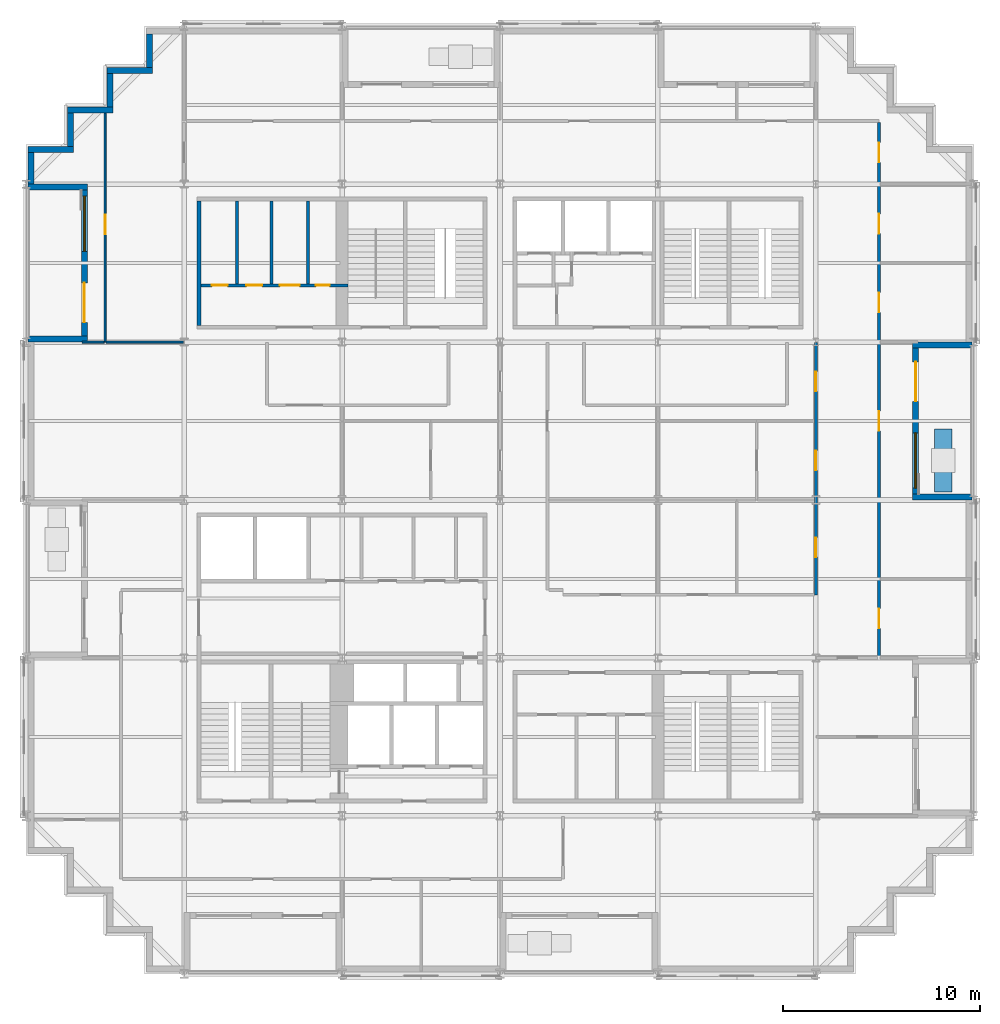
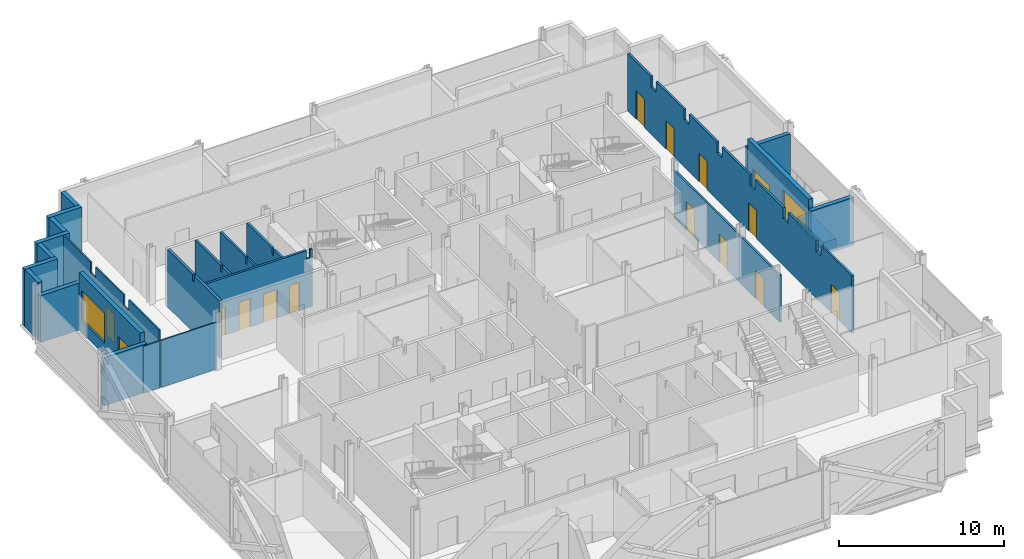
# One storey, part 9 of 15: 24 walls, 15 doors, 2 windows, 17 openings.
"""IFC4 building model written with IfcOpenShell, lengths in metres."""

from ifc_helpers import new_model, si_unit, direction, frame, frame_2d, origin, place, context, subcontext, project, spatial, polyline, rectangle, outline, extrude, material, layer, layer_set, type_object, element, fill, save


model = new_model("IFC4")

# Units and contexts
model_context = context("Model", 3, precision=1e-05, world=origin(), true_north=direction((0.0, 1.0)))
body_context = subcontext(model_context, "Body", "Model", "MODEL_VIEW")
ifc_project = project(units=[si_unit("LENGTHUNIT", "METRE"), si_unit("AREAUNIT", "SQUARE_METRE"), si_unit("VOLUMEUNIT", "CUBIC_METRE"), si_unit("PLANEANGLEUNIT", "RADIAN"), si_unit("MASSUNIT", "GRAM", prefix="KILO")], contexts=[model_context])

# Site, building, storey
site_placement = place(None, origin())
site = spatial("IfcSite", under=ifc_project, at=site_placement, CompositionType="ELEMENT")
building_placement = place(site_placement, origin())
building = spatial("IfcBuilding", under=site, at=building_placement, Name="Immortelle Media Tower", CompositionType="ELEMENT")
storey_placement = place(building_placement, frame((0.0, 0.0, 92.0)))
storey = spatial("IfcBuildingStorey", under=building, at=storey_placement, Name="L17", CompositionType="ELEMENT", Elevation=92.0)

# Wall, openings, doors
ifc_material_1 = material(Name="Fire-rated gypsum board", Category="gypsum")
ifc_layer_1 = layer(ifc_material_1, 0.02490234375)
ifc_material_2 = material(Name="Steel ASTM A653 SS Gr 50 stud frame with mineral wool", Category="steel")
ifc_layer_2 = layer(ifc_material_2, 0.10009765625)
ifc_layer_3 = layer(ifc_material_1, 0.02490234375)
ifc_layer_set_1 = layer_set([ifc_layer_1, ifc_layer_2, ifc_layer_3], Name="Steel ASTM A653 SS Gr 50 stud frame with mineral wool")
wall_type_1 = type_object("IfcWallType", Name="Core partition 150", PredefinedType="PARTITIONING", material=ifc_layer_set_1)
wall_1_placement = place(storey_placement, frame((8.85009765625, 34.875, 0.0), z_axis=(0.0, 0.0, 1.0), x_axis=(1.0, 0.0, 0.0)))
wall_1 = element("IfcWall", 1, at=wall_1_placement, inside=storey, type_object=wall_type_1, Name="Core partition NW", PredefinedType="PARTITIONING", context=body_context, shape_type="SweptSolid", body=[
    extrude(outline(polyline([(0.0, 0.0), (7.449951171875, 0.0), (7.449951171875, 4.25), (7.26953125, 4.25), (7.2685546875, 3.632080078125), (7.031494140625, 3.632080078125), (7.030517578125, 4.25), (0.0, 4.25), (0.0, 0.0)])), frame((0.0, 0.074951171875, 0.0), z_axis=(0.0, -1.0, 0.0), x_axis=(1.0, 0.0, 0.0)), (0.0, 0.0, 1.0), 0.14990234375),
])
opening_1_placement = place(wall_1_placement, frame((0.550048828125, 0.0, 0.0)))
opening_1 = element("IfcOpeningElement", 2, at=opening_1_placement, cuts=wall_1, Name="Opening N5-K047", PredefinedType="OPENING", context=body_context, shape_type="SweptSolid", body=[
    extrude(rectangle(XDim=0.800048828125, YDim=2.10009765625, at=frame_2d((0.39990234375, 1.050048828125))), frame((0.0, 0.0849609375, 0.0), z_axis=(0.0, -1.0, 0.0), x_axis=(1.0, 0.0, 0.0)), (0.0, 0.0, 1.0), 0.169921875),
])
opening_2_placement = place(wall_1_placement, frame((2.300048828125, 0.0, 0.0)))
opening_2 = element("IfcOpeningElement", 3, at=opening_2_placement, cuts=wall_1, Name="Opening N5-K048", PredefinedType="OPENING", context=body_context, shape_type="SweptSolid", body=[
    extrude(rectangle(XDim=0.800048828125, YDim=2.10009765625, at=frame_2d((0.39990234375, 1.050048828125))), frame((0.0, 0.0849609375, 0.0), z_axis=(0.0, -1.0, 0.0), x_axis=(1.0, 0.0, 0.0)), (0.0, 0.0, 1.0), 0.169921875),
])
opening_3_placement = place(wall_1_placement, frame((4.0, 0.0, 0.0)))
opening_3 = element("IfcOpeningElement", 4, at=opening_3_placement, cuts=wall_1, Name="Opening N5-K049", PredefinedType="OPENING", context=body_context, shape_type="SweptSolid", body=[
    extrude(rectangle(XDim=1.0, YDim=2.10009765625, at=frame_2d((0.5, 1.050048828125))), frame((0.0, 0.0849609375, 0.0), z_axis=(0.0, -1.0, 0.0), x_axis=(1.0, 0.0, 0.0)), (0.0, 0.0, 1.0), 0.169921875),
])
opening_4_placement = place(wall_1_placement, frame((5.824951171875, 0.0, 0.0)))
opening_4 = element("IfcOpeningElement", 5, at=opening_4_placement, cuts=wall_1, Name="Opening N5-K050", PredefinedType="OPENING", context=body_context, shape_type="SweptSolid", body=[
    extrude(rectangle(XDim=0.699951171875, YDim=2.10009765625, at=frame_2d((0.35009765625, 1.050048828125))), frame((0.0, 0.0849609375, 0.0), z_axis=(0.0, -1.0, 0.0), x_axis=(1.0, 0.0, 0.0)), (0.0, 0.0, 1.0), 0.169921875),
])
ifc_material_3 = material(Name="Timber", Category="wood")
door_type_1 = type_object("IfcDoorType", Name="Accessible toilet door 1000 x 2100", OperationType="NOTDEFINED", PredefinedType="NOTDEFINED", material=ifc_material_3)
door_1_placement = place(opening_3_placement, origin())
door_1 = element("IfcDoor", 6, at=door_1_placement, inside=storey, type_object=door_type_1, Name="Accessible toilet N5-K049", OperationType="SINGLE_SWING_RIGHT", OverallHeight=2.10009765625, OverallWidth=1.0, PredefinedType="NOTDEFINED", context=body_context, shape_type="SweptSolid", body=[
    extrude(rectangle(XDim=1.0, YDim=2.10009765625, at=frame_2d((0.5, 1.050048828125))), frame((0.0, 0.02490234375, 0.0), z_axis=(0.0, -1.0, 0.0), x_axis=(1.0, 0.0, 0.0)), (0.0, 0.0, 1.0), 0.050048828125),
])
fill(opening_3, door_1)
ifc_material_4 = material(Name="Galvanised steel door leaf and frame ASTM A653", Category="steel")
door_type_2 = type_object("IfcDoorType", Name="Service door 700 x 2100", OperationType="NOTDEFINED", PredefinedType="NOTDEFINED", material=ifc_material_4)
door_2_placement = place(opening_4_placement, origin())
door_2 = element("IfcDoor", 7, at=door_2_placement, inside=storey, type_object=door_type_2, Name="Service N5-K050", OperationType="SINGLE_SWING_LEFT", OverallHeight=2.10009765625, OverallWidth=0.699951171875, PredefinedType="NOTDEFINED", context=body_context, shape_type="SweptSolid", body=[
    extrude(rectangle(XDim=0.699951171875, YDim=2.10009765625, at=frame_2d((0.35009765625, 1.050048828125))), frame((0.0, 0.02490234375, 0.0), z_axis=(0.0, -1.0, 0.0), x_axis=(1.0, 0.0, 0.0)), (0.0, 0.0, 1.0), 0.050048828125),
])
fill(opening_4, door_2)
door_type_3 = type_object("IfcDoorType", Name="Toilet door 800 x 2100", OperationType="NOTDEFINED", PredefinedType="NOTDEFINED", material=ifc_material_3)
door_3_placement = place(opening_1_placement, origin())
door_3 = element("IfcDoor", 8, at=door_3_placement, inside=storey, type_object=door_type_3, Name="Toilet N5-K047", OperationType="SINGLE_SWING_LEFT", OverallHeight=2.10009765625, OverallWidth=0.800048828125, PredefinedType="NOTDEFINED", context=body_context, shape_type="SweptSolid", body=[
    extrude(rectangle(XDim=0.800048828125, YDim=2.10009765625, at=frame_2d((0.39990234375, 1.050048828125))), frame((0.0, 0.02490234375, 0.0), z_axis=(0.0, -1.0, 0.0), x_axis=(1.0, 0.0, 0.0)), (0.0, 0.0, 1.0), 0.050048828125),
])
fill(opening_1, door_3)
door_4_placement = place(opening_2_placement, origin())
door_4 = element("IfcDoor", 9, at=door_4_placement, inside=storey, type_object=door_type_3, Name="Toilet N5-K048", OperationType="SINGLE_SWING_LEFT", OverallHeight=2.10009765625, OverallWidth=0.800048828125, PredefinedType="NOTDEFINED", context=body_context, shape_type="SweptSolid", body=[
    extrude(rectangle(XDim=0.800048828125, YDim=2.10009765625, at=frame_2d((0.39990234375, 1.050048828125))), frame((0.0, 0.02490234375, 0.0), z_axis=(0.0, -1.0, 0.0), x_axis=(1.0, 0.0, 0.0)), (0.0, 0.0, 1.0), 0.050048828125),
])
fill(opening_2, door_4)

# Walls
for number, where, z_axis, x_axis, name in (
    (10, (10.675048828125, 34.949951171875, 0.0), (0.0, 0.0, 1.0), (0.0, 1.0, 0.0), "Core partition NW"),
    (11, (12.425048828125, 34.949951171875, 0.0), (0.0, 0.0, 1.0), (0.0, 1.0, 0.0), "Core partition NW"),
    (12, (14.27490234375, 34.949951171875, 0.0), (0.0, 0.0, 1.0), (0.0, 1.0, 0.0), "Core partition NW"),
):
    element("IfcWall", number, at=place(storey_placement, frame(where, z_axis=z_axis, x_axis=x_axis)), inside=storey, type_object=wall_type_1, Name=name, PredefinedType="PARTITIONING", context=body_context, shape_type="SweptSolid", body=[
        extrude(outline(polyline([(0.0, 0.0), (4.199951171875, 0.0), (4.199951171875, 4.25), (1.131591796875, 4.25), (1.130615234375, 3.7890625), (0.969482421875, 3.7890625), (0.968505859375, 4.25), (0.0, 4.25), (0.0, 0.0)])), frame((0.0, 0.074951171875, 0.0), z_axis=(0.0, -1.0, 0.0), x_axis=(1.0, 0.0, 0.0)), (0.0, 0.0, 1.0), 0.14990234375),
    ])
ifc_layer_4 = layer(ifc_material_1, 0.03759765625)
ifc_layer_5 = layer(ifc_material_2, 0.125)
ifc_layer_6 = layer(ifc_material_1, 0.03759765625)
ifc_layer_set_2 = layer_set([ifc_layer_4, ifc_layer_5, ifc_layer_6], Name="Steel ASTM A653 SS Gr 50 stud frame with mineral wool")
wall_type_2 = type_object("IfcWallType", Name="Core shaft wall 200", PredefinedType="PARTITIONING", material=ifc_layer_set_2)
wall_2_placement = place(storey_placement, frame((8.75, 32.85009765625, 0.0), z_axis=(0.0, 0.0, 1.0), x_axis=(0.0, 1.0, 0.0)))
element("IfcWall", 13, at=wall_2_placement, inside=storey, type_object=wall_type_2, Name="Core shaft wall NW", PredefinedType="PARTITIONING", context=body_context, shape_type="SweptSolid", body=[
    extrude(outline(polyline([(0.0, 0.0), (6.2998046875, 0.0), (6.300048828125, 4.25), (3.2314453125, 4.25), (3.23046875, 3.7890625), (3.069580078125, 3.7890625), (3.068603515625, 4.25), (0.0, 4.25), (0.0, 0.0)])), frame((0.0, 0.10009765625, 0.0), z_axis=(0.0, -1.0, 0.0), x_axis=(1.0, 0.0, 0.0)), (0.0, 0.0, 1.0), 0.199951171875),
])

# Wall, openings, doors
ifc_layer_7 = layer(ifc_material_1, 0.012451171875)
ifc_layer_8 = layer(ifc_material_2, 0.125)
ifc_layer_9 = layer(ifc_material_1, 0.012451171875)
ifc_layer_set_3 = layer_set([ifc_layer_7, ifc_layer_8, ifc_layer_9], Name="Steel ASTM A653 SS Gr 50 stud frame with mineral wool")
wall_type_3 = type_object("IfcWallType", Name="Corridor wall 150", PredefinedType="PARTITIONING", material=ifc_layer_set_3)
wall_3_placement = place(storey_placement, frame((43.199951171875, 16.0, 0.0), z_axis=(0.0, 0.0, 1.0), x_axis=(0.0, 1.0, 0.0)))
wall_3 = element("IfcWall", 14, at=wall_3_placement, inside=storey, type_object=wall_type_3, Name="Partition L17-013", PredefinedType="PARTITIONING", context=body_context, shape_type="SweptSolid", body=[
    extrude(outline(polyline([(0.0, 0.0), (27.125, 0.0), (27.125, 4.25), (24.300048828125, 4.25), (24.298095703125, 3.469970703125), (23.701904296875, 3.469970703125), (23.699951171875, 4.25), (20.300048828125, 4.25), (20.298095703125, 3.469970703125), (19.701904296875, 3.469970703125), (19.699951171875, 4.25), (16.300048828125, 4.25), (16.298095703125, 3.469970703125), (15.701904296875, 3.469970703125), (15.699951171875, 4.25), (12.300048828125, 4.25), (12.298095703125, 3.469970703125), (11.701904296875, 3.469970703125), (11.699951171875, 4.25), (8.300048828125, 4.25), (8.298095703125, 3.469970703125), (7.701904296875, 3.469970703125), (7.699951171875, 4.25), (4.300048828125, 4.25), (4.298095703125, 3.469970703125), (3.701904296875, 3.469970703125), (3.699951171875, 4.25), (0.0, 4.25), (0.0, 0.0)])), frame((0.0, 0.074951171875, 0.0), z_axis=(0.0, -1.0, 0.0), x_axis=(1.0, 0.0, 0.0)), (0.0, 0.0, 1.0), 0.14990234375),
])
opening_5_placement = place(wall_3_placement, frame((2.5, 0.0, 0.0), z_axis=(0.0, 0.0, 1.0), x_axis=(-1.0, 0.0, 0.0)))
opening_5 = element("IfcOpeningElement", 15, at=opening_5_placement, cuts=wall_3, Name="Opening N5-F012", PredefinedType="OPENING", context=body_context, shape_type="SweptSolid", body=[
    extrude(rectangle(XDim=1.0, YDim=2.10009765625, at=frame_2d((0.5, 1.050048828125))), frame((0.0, 0.0849609375, 0.0), z_axis=(0.0, -1.0, 0.0), x_axis=(1.0, 0.0, 0.0)), (0.0, 0.0, 1.0), 0.169921875),
])
opening_6_placement = place(wall_3_placement, frame((12.5, 0.0, 0.0), z_axis=(0.0, 0.0, 1.0), x_axis=(-1.0, 0.0, 0.0)))
opening_6 = element("IfcOpeningElement", 16, at=opening_6_placement, cuts=wall_3, Name="Opening N5-F013", PredefinedType="OPENING", context=body_context, shape_type="SweptSolid", body=[
    extrude(rectangle(XDim=1.0, YDim=2.10009765625, at=frame_2d((0.5, 1.050048828125))), frame((0.0, 0.0849609375, 0.0), z_axis=(0.0, -1.0, 0.0), x_axis=(1.0, 0.0, 0.0)), (0.0, 0.0, 1.0), 0.169921875),
])
opening_7_placement = place(wall_3_placement, frame((18.5, 0.0, 0.0), z_axis=(0.0, 0.0, 1.0), x_axis=(-1.0, 0.0, 0.0)))
opening_7 = element("IfcOpeningElement", 17, at=opening_7_placement, cuts=wall_3, Name="Opening N5-F022", PredefinedType="OPENING", context=body_context, shape_type="SweptSolid", body=[
    extrude(rectangle(XDim=1.0, YDim=2.10009765625, at=frame_2d((0.5, 1.050048828125))), frame((0.0, 0.0849609375, 0.0), z_axis=(0.0, -1.0, 0.0), x_axis=(1.0, 0.0, 0.0)), (0.0, 0.0, 1.0), 0.169921875),
])
opening_8_placement = place(wall_3_placement, frame((22.5, 0.0, 0.0), z_axis=(0.0, 0.0, 1.0), x_axis=(-1.0, 0.0, 0.0)))
opening_8 = element("IfcOpeningElement", 18, at=opening_8_placement, cuts=wall_3, Name="Opening N5-F023", PredefinedType="OPENING", context=body_context, shape_type="SweptSolid", body=[
    extrude(rectangle(XDim=1.0, YDim=2.10009765625, at=frame_2d((0.5, 1.050048828125))), frame((0.0, 0.0849609375, 0.0), z_axis=(0.0, -1.0, 0.0), x_axis=(1.0, 0.0, 0.0)), (0.0, 0.0, 1.0), 0.169921875),
])
opening_9_placement = place(wall_3_placement, frame((26.10009765625, 0.0, 0.0), z_axis=(0.0, 0.0, 1.0), x_axis=(-1.0, 0.0, 0.0)))
opening_9 = element("IfcOpeningElement", 19, at=opening_9_placement, cuts=wall_3, Name="Opening N5-F026", PredefinedType="OPENING", context=body_context, shape_type="SweptSolid", body=[
    extrude(rectangle(XDim=1.0, YDim=2.10009765625, at=frame_2d((0.5, 1.050048828125))), frame((0.0, 0.0849609375, 0.0), z_axis=(0.0, -1.0, 0.0), x_axis=(1.0, 0.0, 0.0)), (0.0, 0.0, 1.0), 0.169921875),
])
ifc_material_5 = material(Name="Timber veneered door leaf, galvanised steel frame ASTM A653", Category="steel")
door_type_4 = type_object("IfcDoorType", Name="Room door 1000 x 2100", OperationType="NOTDEFINED", PredefinedType="DOOR", material=ifc_material_5)
door_5_placement = place(opening_5_placement, origin())
door_5 = element("IfcDoor", 20, at=door_5_placement, inside=storey, type_object=door_type_4, Name="Door N5-F012", OperationType="SINGLE_SWING_RIGHT", OverallHeight=2.10009765625, OverallWidth=1.0, PredefinedType="DOOR", context=body_context, shape_type="SweptSolid", body=[
    extrude(rectangle(XDim=1.0, YDim=2.10009765625, at=frame_2d((0.5, 1.050048828125))), frame((0.0, 0.02490234375, 0.0), z_axis=(0.0, -1.0, 0.0), x_axis=(1.0, 0.0, 0.0)), (0.0, 0.0, 1.0), 0.050048828125),
])
fill(opening_5, door_5)
door_6_placement = place(opening_6_placement, origin())
door_6 = element("IfcDoor", 21, at=door_6_placement, inside=storey, type_object=door_type_4, Name="Door N5-F013", OperationType="SINGLE_SWING_LEFT", OverallHeight=2.10009765625, OverallWidth=1.0, PredefinedType="DOOR", context=body_context, shape_type="SweptSolid", body=[
    extrude(rectangle(XDim=1.0, YDim=2.10009765625, at=frame_2d((0.5, 1.050048828125))), frame((0.0, 0.02490234375, 0.0), z_axis=(0.0, -1.0, 0.0), x_axis=(1.0, 0.0, 0.0)), (0.0, 0.0, 1.0), 0.050048828125),
])
fill(opening_6, door_6)
door_7_placement = place(opening_7_placement, origin())
door_7 = element("IfcDoor", 22, at=door_7_placement, inside=storey, type_object=door_type_4, Name="Door N5-F022", OperationType="SINGLE_SWING_RIGHT", OverallHeight=2.10009765625, OverallWidth=1.0, PredefinedType="DOOR", context=body_context, shape_type="SweptSolid", body=[
    extrude(rectangle(XDim=1.0, YDim=2.10009765625, at=frame_2d((0.5, 1.050048828125))), frame((0.0, 0.02490234375, 0.0), z_axis=(0.0, -1.0, 0.0), x_axis=(1.0, 0.0, 0.0)), (0.0, 0.0, 1.0), 0.050048828125),
])
fill(opening_7, door_7)
door_8_placement = place(opening_8_placement, origin())
door_8 = element("IfcDoor", 23, at=door_8_placement, inside=storey, type_object=door_type_4, Name="Door N5-F023", OperationType="SINGLE_SWING_LEFT", OverallHeight=2.10009765625, OverallWidth=1.0, PredefinedType="DOOR", context=body_context, shape_type="SweptSolid", body=[
    extrude(rectangle(XDim=1.0, YDim=2.10009765625, at=frame_2d((0.5, 1.050048828125))), frame((0.0, 0.02490234375, 0.0), z_axis=(0.0, -1.0, 0.0), x_axis=(1.0, 0.0, 0.0)), (0.0, 0.0, 1.0), 0.050048828125),
])
fill(opening_8, door_8)
door_9_placement = place(opening_9_placement, origin())
door_9 = element("IfcDoor", 24, at=door_9_placement, inside=storey, type_object=door_type_4, Name="Door N5-F026", OperationType="SINGLE_SWING_RIGHT", OverallHeight=2.10009765625, OverallWidth=1.0, PredefinedType="DOOR", context=body_context, shape_type="SweptSolid", body=[
    extrude(rectangle(XDim=1.0, YDim=2.10009765625, at=frame_2d((0.5, 1.050048828125))), frame((0.0, 0.02490234375, 0.0), z_axis=(0.0, -1.0, 0.0), x_axis=(1.0, 0.0, 0.0)), (0.0, 0.0, 1.0), 0.050048828125),
])
fill(opening_9, door_9)

wall_4_placement = place(storey_placement, frame((40.0, 19.199951171875, 0.0), z_axis=(0.0, 0.0, 1.0), x_axis=(0.0, 1.0, 0.0)))
wall_4 = element("IfcWall", 25, at=wall_4_placement, inside=storey, type_object=wall_type_3, Name="Partition L17-017", PredefinedType="PARTITIONING", context=body_context, shape_type="SweptSolid", body=[
    extrude(rectangle(XDim=12.77001953125, YDim=0.14990234375, at=frame_2d((6.385009765625, 0.0))), origin(), (0.0, 0.0, 1.0), 3.469970703125),
])
opening_10_placement = place(wall_4_placement, frame((1.89990234375, 0.0, 0.0)))
opening_10 = element("IfcOpeningElement", 26, at=opening_10_placement, cuts=wall_4, Name="Opening N5-F011", PredefinedType="OPENING", context=body_context, shape_type="SweptSolid", body=[
    extrude(rectangle(XDim=1.0, YDim=2.10009765625, at=frame_2d((0.5, 1.050048828125))), frame((0.0, 0.0849609375, 0.0), z_axis=(0.0, -1.0, 0.0), x_axis=(1.0, 0.0, 0.0)), (0.0, 0.0, 1.0), 0.169921875),
])
opening_11_placement = place(wall_4_placement, frame((6.300048828125, 0.0, 0.0)))
opening_11 = element("IfcOpeningElement", 27, at=opening_11_placement, cuts=wall_4, Name="Opening N5-F014", PredefinedType="OPENING", context=body_context, shape_type="SweptSolid", body=[
    extrude(rectangle(XDim=1.0, YDim=2.10009765625, at=frame_2d((0.5, 1.050048828125))), frame((0.0, 0.0849609375, 0.0), z_axis=(0.0, -1.0, 0.0), x_axis=(1.0, 0.0, 0.0)), (0.0, 0.0, 1.0), 0.169921875),
])
opening_12_placement = place(wall_4_placement, frame((10.300048828125, 0.0, 0.0)))
opening_12 = element("IfcOpeningElement", 28, at=opening_12_placement, cuts=wall_4, Name="Opening N5-F016", PredefinedType="OPENING", context=body_context, shape_type="SweptSolid", body=[
    extrude(rectangle(XDim=1.0, YDim=2.10009765625, at=frame_2d((0.5, 1.050048828125))), frame((0.0, 0.0849609375, 0.0), z_axis=(0.0, -1.0, 0.0), x_axis=(1.0, 0.0, 0.0)), (0.0, 0.0, 1.0), 0.169921875),
])
door_10_placement = place(opening_10_placement, origin())
door_10 = element("IfcDoor", 29, at=door_10_placement, inside=storey, type_object=door_type_4, Name="Door N5-F011", OperationType="SINGLE_SWING_LEFT", OverallHeight=2.10009765625, OverallWidth=1.0, PredefinedType="DOOR", context=body_context, shape_type="SweptSolid", body=[
    extrude(rectangle(XDim=1.0, YDim=2.10009765625, at=frame_2d((0.5, 1.050048828125))), frame((0.0, 0.02490234375, 0.0), z_axis=(0.0, -1.0, 0.0), x_axis=(1.0, 0.0, 0.0)), (0.0, 0.0, 1.0), 0.050048828125),
])
fill(opening_10, door_10)
door_11_placement = place(opening_11_placement, origin())
door_11 = element("IfcDoor", 30, at=door_11_placement, inside=storey, type_object=door_type_4, Name="Door N5-F014", OperationType="SINGLE_SWING_RIGHT", OverallHeight=2.10009765625, OverallWidth=1.0, PredefinedType="DOOR", context=body_context, shape_type="SweptSolid", body=[
    extrude(rectangle(XDim=1.0, YDim=2.10009765625, at=frame_2d((0.5, 1.050048828125))), frame((0.0, 0.02490234375, 0.0), z_axis=(0.0, -1.0, 0.0), x_axis=(1.0, 0.0, 0.0)), (0.0, 0.0, 1.0), 0.050048828125),
])
fill(opening_11, door_11)
door_12_placement = place(opening_12_placement, origin())
door_12 = element("IfcDoor", 31, at=door_12_placement, inside=storey, type_object=door_type_4, Name="Door N5-F016", OperationType="SINGLE_SWING_LEFT", OverallHeight=2.10009765625, OverallWidth=1.0, PredefinedType="DOOR", context=body_context, shape_type="SweptSolid", body=[
    extrude(rectangle(XDim=1.0, YDim=2.10009765625, at=frame_2d((0.5, 1.050048828125))), frame((0.0, 0.02490234375, 0.0), z_axis=(0.0, -1.0, 0.0), x_axis=(1.0, 0.0, 0.0)), (0.0, 0.0, 1.0), 0.050048828125),
])
fill(opening_12, door_12)

# Wall
ifc_material_6 = material(Name="Pale aluminium cladding panel", Category="aluminium")
ifc_layer_10 = layer(ifc_material_6, 0.030029296875)
ifc_layer_11 = layer(ifc_material_2, 0.257568359375)
ifc_material_7 = material(Name="Moisture-resistant gypsum board", Category="gypsum")
ifc_layer_12 = layer(ifc_material_7, 0.012451171875)
ifc_layer_set_4 = layer_set([ifc_layer_10, ifc_layer_11, ifc_layer_12], Name="Steel ASTM A653 SS Gr 50 stud frame with mineral wool")
wall_type_4 = type_object("IfcWallType", Name="Facade wall 300", PredefinedType="SOLIDWALL", material=ifc_layer_set_4)
wall_5_placement = place(storey_placement, frame((0.25, 41.60009765625, 0.0), z_axis=(0.0, 0.0, 1.0), x_axis=(0.0, -1.0, 0.0)))
element("IfcWall", 32, at=wall_5_placement, inside=storey, type_object=wall_type_4, Name="Facade wall L17 W0", PredefinedType="SOLIDWALL", context=body_context, shape_type="SweptSolid", body=[
    extrude(rectangle(XDim=1.60009765625, YDim=0.300048828125, at=frame_2d((0.800048828125, 0.0))), origin(), (0.0, 0.0, 1.0), 4.25),
])

# Wall, openings, door, window
wall_6_placement = place(storey_placement, frame((2.949951171875, 39.699951171875, 0.0), z_axis=(0.0, 0.0, 1.0), x_axis=(0.0, -1.0, 0.0)))
wall_6 = element("IfcWall", 33, at=wall_6_placement, inside=storey, type_object=wall_type_4, Name="Loggia wall L17 W0", PredefinedType="SOLIDWALL", context=body_context, shape_type="SweptSolid", body=[
    extrude(rectangle(XDim=7.39990234375, YDim=0.300048828125, at=frame_2d((3.699951171875, 0.0))), origin(), (0.0, 0.0, 1.0), 4.25),
])
opening_13_placement = place(wall_6_placement, frame((0.300048828125, 0.0, 0.89990234375)))
opening_13 = element("IfcOpeningElement", 34, at=opening_13_placement, cuts=wall_6, Name="Opening W1", PredefinedType="OPENING", context=body_context, shape_type="SweptSolid", body=[
    extrude(rectangle(XDim=2.800048828125, YDim=2.199951171875, at=frame_2d((1.39990234375, 1.10009765625))), frame((0.0, 0.159912109375, 0.0), z_axis=(0.0, -1.0, 0.0), x_axis=(1.0, 0.0, 0.0)), (0.0, 0.0, 1.0), 0.320068359375),
])
opening_14_placement = place(wall_6_placement, frame((4.699951171875, 0.0, 0.0)))
opening_14 = element("IfcOpeningElement", 35, at=opening_14_placement, cuts=wall_6, Name="Opening N5-E001", PredefinedType="OPENING", context=body_context, shape_type="SweptSolid", body=[
    extrude(rectangle(XDim=2.0, YDim=2.39990234375, at=frame_2d((1.0, 1.199951171875))), frame((0.0, 0.159912109375, 0.0), z_axis=(0.0, -1.0, 0.0), x_axis=(1.0, 0.0, 0.0)), (0.0, 0.0, 1.0), 0.320068359375),
])
ifc_material_8 = material(Name="Aluminium frame, glazed leaves", Category="aluminium")
door_type_5 = type_object("IfcDoorType", Name="Loggia door 2000 x 2400", OperationType="DOUBLE_DOOR_SINGLE_SWING", PredefinedType="DOOR", material=ifc_material_8)
door_13_placement = place(opening_14_placement, origin())
door_13 = element("IfcDoor", 36, at=door_13_placement, inside=storey, type_object=door_type_5, Name="Door N5-E001", OperationType="DOUBLE_DOOR_SINGLE_SWING", OverallHeight=2.39990234375, OverallWidth=2.0, PredefinedType="DOOR", context=body_context, shape_type="SweptSolid", body=[
    extrude(rectangle(XDim=2.0, YDim=2.39990234375, at=frame_2d((1.0, 1.199951171875))), frame((0.0, 0.02490234375, 0.0), z_axis=(0.0, -1.0, 0.0), x_axis=(1.0, 0.0, 0.0)), (0.0, 0.0, 1.0), 0.050048828125),
])
fill(opening_14, door_13)
ifc_material_9 = material(Name="Aluminium frame", Category="aluminium")
window_type = type_object("IfcWindowType", Name="Window 2800 x 2200", PartitioningType="SINGLE_PANEL", PredefinedType="WINDOW", material=ifc_material_9)
window_1_placement = place(opening_13_placement, origin())
window_1 = element("IfcWindow", 37, at=window_1_placement, inside=storey, type_object=window_type, Name="Window L17 L17-R0-B0", OverallHeight=2.199951171875, OverallWidth=2.800048828125, PartitioningType="SINGLE_PANEL", PredefinedType="WINDOW", context=body_context, shape_type="SweptSolid", body=[
    extrude(rectangle(XDim=2.800048828125, YDim=2.199951171875, at=frame_2d((1.39990234375, 1.10009765625))), frame((0.0, 0.030029296875, 0.0), z_axis=(0.0, -1.0, 0.0), x_axis=(1.0, 0.0, 0.0)), (0.0, 0.0, 1.0), 0.06005859375),
])
fill(opening_13, window_1)

# Walls
wall_7_placement = place(storey_placement, frame((0.10009765625, 39.85009765625, 0.0), z_axis=(0.0, 0.0, 1.0), x_axis=(1.0, 0.0, 0.0)))
element("IfcWall", 38, at=wall_7_placement, inside=storey, type_object=wall_type_4, Name="Loggia cheek wall L17 W", PredefinedType="SOLIDWALL", context=body_context, shape_type="SweptSolid", body=[
    extrude(rectangle(XDim=3.0, YDim=0.300048828125, at=frame_2d((1.5, 0.0))), origin(), (0.0, 0.0, 1.0), 3.468994140625),
])
wall_8_placement = place(storey_placement, frame((0.10009765625, 32.14990234375, 0.0), z_axis=(0.0, 0.0, 1.0), x_axis=(1.0, 0.0, 0.0)))
element("IfcWall", 39, at=wall_8_placement, inside=storey, type_object=wall_type_4, Name="Loggia cheek wall L17 W", PredefinedType="SOLIDWALL", context=body_context, shape_type="SweptSolid", body=[
    extrude(rectangle(XDim=3.0, YDim=0.300048828125, at=frame_2d((1.5, 0.0))), origin(), (0.0, 0.0, 1.0), 3.555908203125),
])

# Wall, openings, door, window
wall_9_placement = place(storey_placement, frame((45.050048828125, 24.300048828125, 0.0), z_axis=(0.0, 0.0, 1.0), x_axis=(0.0, 1.0, 0.0)))
wall_9 = element("IfcWall", 40, at=wall_9_placement, inside=storey, type_object=wall_type_4, Name="Loggia wall L17 E14", PredefinedType="SOLIDWALL", context=body_context, shape_type="SweptSolid", body=[
    extrude(rectangle(XDim=7.39990234375, YDim=0.300048828125, at=frame_2d((3.699951171875, 0.0))), origin(), (0.0, 0.0, 1.0), 4.25),
])
opening_15_placement = place(wall_9_placement, frame((0.300048828125, 0.0, 0.89990234375)))
opening_15 = element("IfcOpeningElement", 41, at=opening_15_placement, cuts=wall_9, Name="Opening W1", PredefinedType="OPENING", context=body_context, shape_type="SweptSolid", body=[
    extrude(rectangle(XDim=2.800048828125, YDim=2.199951171875, at=frame_2d((1.39990234375, 1.10009765625))), frame((0.0, 0.159912109375, 0.0), z_axis=(0.0, -1.0, 0.0), x_axis=(1.0, 0.0, 0.0)), (0.0, 0.0, 1.0), 0.320068359375),
])
opening_16_placement = place(wall_9_placement, frame((4.699951171875, 0.0, 0.0)))
opening_16 = element("IfcOpeningElement", 42, at=opening_16_placement, cuts=wall_9, Name="Opening N5-E006", PredefinedType="OPENING", context=body_context, shape_type="SweptSolid", body=[
    extrude(rectangle(XDim=2.0, YDim=2.39990234375, at=frame_2d((1.0, 1.199951171875))), frame((0.0, 0.159912109375, 0.0), z_axis=(0.0, -1.0, 0.0), x_axis=(1.0, 0.0, 0.0)), (0.0, 0.0, 1.0), 0.320068359375),
])
door_14_placement = place(opening_16_placement, origin())
door_14 = element("IfcDoor", 43, at=door_14_placement, inside=storey, type_object=door_type_5, Name="Door N5-E006", OperationType="DOUBLE_DOOR_SINGLE_SWING", OverallHeight=2.39990234375, OverallWidth=2.0, PredefinedType="DOOR", context=body_context, shape_type="SweptSolid", body=[
    extrude(rectangle(XDim=2.0, YDim=2.39990234375, at=frame_2d((1.0, 1.199951171875))), frame((0.0, 0.02490234375, 0.0), z_axis=(0.0, -1.0, 0.0), x_axis=(1.0, 0.0, 0.0)), (0.0, 0.0, 1.0), 0.050048828125),
])
fill(opening_16, door_14)
window_2_placement = place(opening_15_placement, origin())
window_2 = element("IfcWindow", 44, at=window_2_placement, inside=storey, type_object=window_type, Name="Window L17 L17-R14-B2", OverallHeight=2.199951171875, OverallWidth=2.800048828125, PartitioningType="SINGLE_PANEL", PredefinedType="WINDOW", context=body_context, shape_type="SweptSolid", body=[
    extrude(rectangle(XDim=2.800048828125, YDim=2.199951171875, at=frame_2d((1.39990234375, 1.10009765625))), frame((0.0, 0.030029296875, 0.0), z_axis=(0.0, -1.0, 0.0), x_axis=(1.0, 0.0, 0.0)), (0.0, 0.0, 1.0), 0.06005859375),
])
fill(opening_15, window_2)

# Walls
for number, where, z_axis, x_axis, name in (
    (45, (47.89990234375, 24.14990234375, 0.0), (0.0, 0.0, 1.0), (-1.0, 0.0, 0.0), "Loggia cheek wall L17 E"),
    (46, (47.89990234375, 31.85009765625, 0.0), (0.0, 0.0, 1.0), (-1.0, 0.0, 0.0), "Loggia cheek wall L17 E"),
):
    element("IfcWall", number, at=place(storey_placement, frame(where, z_axis=z_axis, x_axis=x_axis)), inside=storey, type_object=wall_type_4, Name=name, PredefinedType="SOLIDWALL", context=body_context, shape_type="SweptSolid", body=[
        extrude(rectangle(XDim=3.0, YDim=0.300048828125, at=frame_2d((1.5, 0.0))), origin(), (0.0, 0.0, 1.0), 3.555908203125),
    ])
wall_10_placement = place(storey_placement, frame((6.25, 47.60009765625, 0.0), z_axis=(0.0, 0.0, 1.0), x_axis=(0.0, -1.0, 0.0)))
element("IfcWall", 47, at=wall_10_placement, inside=storey, type_object=wall_type_4, Name="Facade wall L17 W22", PredefinedType="SOLIDWALL", context=body_context, shape_type="SweptSolid", body=[
    extrude(rectangle(XDim=1.7001953125, YDim=0.300048828125, at=frame_2d((0.85009765625, 0.0))), origin(), (0.0, 0.0, 1.0), 4.25),
])
wall_11_placement = place(storey_placement, frame((6.39990234375, 45.75, 0.0), z_axis=(0.0, 0.0, 1.0), x_axis=(-1.0, 0.0, 0.0)))
element("IfcWall", 48, at=wall_11_placement, inside=storey, type_object=wall_type_4, Name="Facade wall L17 N23", PredefinedType="SOLIDWALL", context=body_context, shape_type="SweptSolid", body=[
    extrude(rectangle(XDim=2.2998046875, YDim=0.300048828125, at=frame_2d((1.14990234375, 0.0))), origin(), (0.0, 0.0, 1.0), 4.25),
])
wall_12_placement = place(storey_placement, frame((4.25, 45.60009765625, 0.0), z_axis=(0.0, 0.0, 1.0), x_axis=(0.0, -1.0, 0.0)))
element("IfcWall", 49, at=wall_12_placement, inside=storey, type_object=wall_type_4, Name="Facade wall L17 W24", PredefinedType="SOLIDWALL", context=body_context, shape_type="SweptSolid", body=[
    extrude(rectangle(XDim=1.7001953125, YDim=0.300048828125, at=frame_2d((0.85009765625, 0.0))), origin(), (0.0, 0.0, 1.0), 4.25),
])
wall_13_placement = place(storey_placement, frame((4.39990234375, 43.75, 0.0), z_axis=(0.0, 0.0, 1.0), x_axis=(-1.0, 0.0, 0.0)))
element("IfcWall", 50, at=wall_13_placement, inside=storey, type_object=wall_type_4, Name="Facade wall L17 N25", PredefinedType="SOLIDWALL", context=body_context, shape_type="SweptSolid", body=[
    extrude(rectangle(XDim=2.2998046875, YDim=0.300048828125, at=frame_2d((1.14990234375, 0.0))), origin(), (0.0, 0.0, 1.0), 4.25),
])
wall_14_placement = place(storey_placement, frame((2.25, 43.60009765625, 0.0), z_axis=(0.0, 0.0, 1.0), x_axis=(0.0, -1.0, 0.0)))
element("IfcWall", 51, at=wall_14_placement, inside=storey, type_object=wall_type_4, Name="Facade wall L17 W26", PredefinedType="SOLIDWALL", context=body_context, shape_type="SweptSolid", body=[
    extrude(rectangle(XDim=1.7001953125, YDim=0.300048828125, at=frame_2d((0.85009765625, 0.0))), origin(), (0.0, 0.0, 1.0), 4.25),
])
wall_15_placement = place(storey_placement, frame((2.39990234375, 41.75, 0.0), z_axis=(0.0, 0.0, 1.0), x_axis=(-1.0, 0.0, 0.0)))
element("IfcWall", 52, at=wall_15_placement, inside=storey, type_object=wall_type_4, Name="Facade wall L17 N27", PredefinedType="SOLIDWALL", context=body_context, shape_type="SweptSolid", body=[
    extrude(rectangle(XDim=2.2998046875, YDim=0.300048828125, at=frame_2d((1.14990234375, 0.0))), origin(), (0.0, 0.0, 1.0), 4.25),
])
ifc_material_10 = material(Name="Gypsum board", Category="gypsum")
ifc_layer_13 = layer(ifc_material_10, 0.012451171875)
ifc_layer_14 = layer(ifc_material_2, 0.074951171875)
ifc_layer_15 = layer(ifc_material_10, 0.012451171875)
ifc_layer_set_5 = layer_set([ifc_layer_13, ifc_layer_14, ifc_layer_15], Name="Steel ASTM A653 SS Gr 50 stud frame with mineral wool")
wall_type_5 = type_object("IfcWallType", Name="Partition 100", PredefinedType="PARTITIONING", material=ifc_layer_set_5)
wall_16_placement = place(storey_placement, frame((2.830078125, 32.0, 0.0), z_axis=(0.0, 0.0, 1.0), x_axis=(1.0, 0.0, 0.0)))
element("IfcWall", 53, at=wall_16_placement, inside=storey, type_object=wall_type_5, Name="Partition L17-044", PredefinedType="PARTITIONING", context=body_context, shape_type="SweptSolid", body=[
    extrude(rectangle(XDim=1.119873046875, YDim=0.10009765625, at=frame_2d((0.56005859375, 0.0))), origin(), (0.0, 0.0, 1.0), 3.469970703125),
])
wall_17_placement = place(storey_placement, frame((4.050048828125, 32.0, 0.0), z_axis=(0.0, 0.0, 1.0), x_axis=(1.0, 0.0, 0.0)))
element("IfcWall", 54, at=wall_17_placement, inside=storey, type_object=wall_type_5, Name="Partition L17-045", PredefinedType="PARTITIONING", context=body_context, shape_type="SweptSolid", body=[
    extrude(rectangle(XDim=3.919921875, YDim=0.10009765625, at=frame_2d((1.9599609375, 0.0))), origin(), (0.0, 0.0, 1.0), 3.469970703125),
])

# Wall, opening, door
wall_18_placement = place(storey_placement, frame((4.0, 32.0, 0.0), z_axis=(0.0, 0.0, 1.0), x_axis=(0.0, 1.0, 0.0)))
wall_18 = element("IfcWall", 55, at=wall_18_placement, inside=storey, type_object=wall_type_5, Name="Partition L17-046", PredefinedType="PARTITIONING", context=body_context, shape_type="SweptSolid", body=[
    extrude(outline(polyline([(0.0, 0.0), (11.8701171875, 0.0), (11.8701171875, 4.25), (8.300048828125, 4.25), (8.298095703125, 3.469970703125), (7.701904296875, 3.469970703125), (7.699951171875, 4.25), (4.300048828125, 4.25), (4.298095703125, 3.469970703125), (3.701904296875, 3.469970703125), (3.699951171875, 4.25), (0.0, 4.25), (0.0, 0.0)])), frame((0.0, 0.050048828125, 0.0), z_axis=(0.0, -1.0, 0.0), x_axis=(1.0, 0.0, 0.0)), (0.0, 0.0, 1.0), 0.10009765625),
])
opening_17_placement = place(wall_18_placement, frame((5.449951171875, 0.0, 0.0)))
opening_17 = element("IfcOpeningElement", 56, at=opening_17_placement, cuts=wall_18, Name="Opening N5-F025", PredefinedType="OPENING", context=body_context, shape_type="SweptSolid", body=[
    extrude(rectangle(XDim=1.0, YDim=2.10009765625, at=frame_2d((0.5, 1.050048828125))), frame((0.0, 0.06005859375, 0.0), z_axis=(0.0, -1.0, 0.0), x_axis=(1.0, 0.0, 0.0)), (0.0, 0.0, 1.0), 0.1201171875),
])
door_15_placement = place(opening_17_placement, origin())
door_15 = element("IfcDoor", 57, at=door_15_placement, inside=storey, type_object=door_type_4, Name="Door N5-F025", OperationType="SINGLE_SWING_RIGHT", OverallHeight=2.10009765625, OverallWidth=1.0, PredefinedType="DOOR", context=body_context, shape_type="SweptSolid", body=[
    extrude(rectangle(XDim=1.0, YDim=2.10009765625, at=frame_2d((0.5, 1.050048828125))), frame((0.0, 0.02490234375, 0.0), z_axis=(0.0, -1.0, 0.0), x_axis=(1.0, 0.0, 0.0)), (0.0, 0.0, 1.0), 0.050048828125),
])
fill(opening_17, door_15)

# Wall
ifc_layer_16 = layer(ifc_material_6, 0.0029296875)
ifc_material_11 = material(Name="Steel ASTM A572 Gr 50 planter shell", Category="steel")
ifc_layer_17 = layer(ifc_material_11, 0.011962890625)
ifc_material_12 = material(Name="Planting substrate", Category="soil")
ifc_layer_18 = layer(ifc_material_12, 0.873046875)
ifc_layer_19 = layer(ifc_material_11, 0.011962890625)
ifc_layer_set_6 = layer_set([ifc_layer_16, ifc_layer_17, ifc_layer_18, ifc_layer_19], Name="Steel ASTM A572 Gr 50 planter shell")
wall_type_6 = type_object("IfcWallType", Name="Planter wall 900", PredefinedType="SOLIDWALL", material=ifc_layer_set_6)
wall_19_placement = place(storey_placement, frame((46.449951171875, 24.39990234375, 0.0), z_axis=(0.0, 0.0, 1.0), x_axis=(0.0, 1.0, 0.0)))
element("IfcWall", 58, at=wall_19_placement, inside=storey, type_object=wall_type_6, Name="Planter L17 E2", PredefinedType="SOLIDWALL", context=body_context, shape_type="SweptSolid", body=[
    extrude(rectangle(XDim=3.2001953125, YDim=0.89990234375, at=frame_2d((1.60009765625, 0.0))), origin(), (0.0, 0.0, 1.0), 0.60009765625),
])

save(model, "model.ifc")
